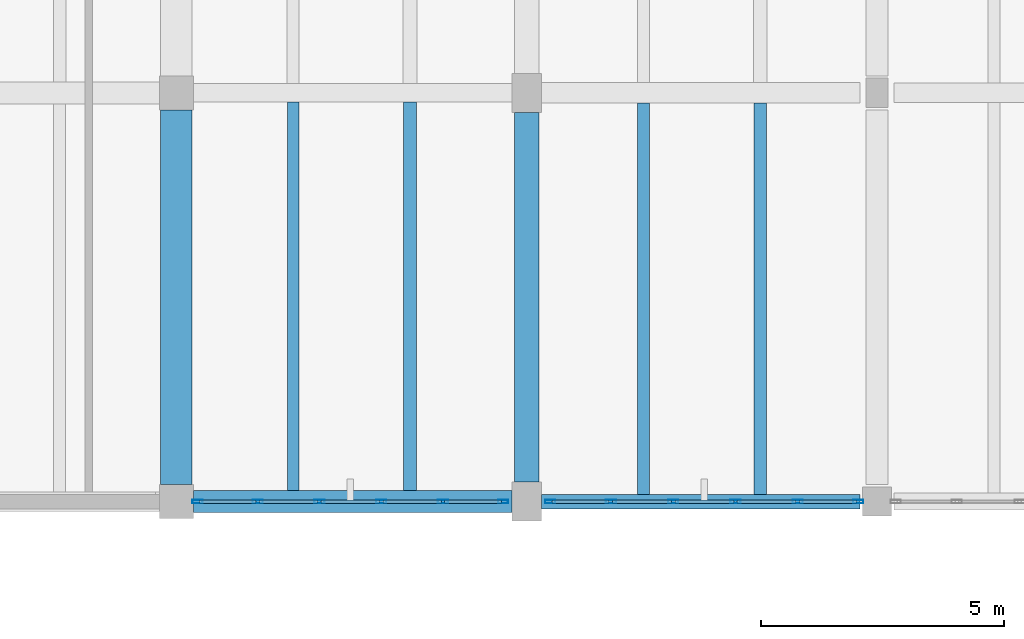
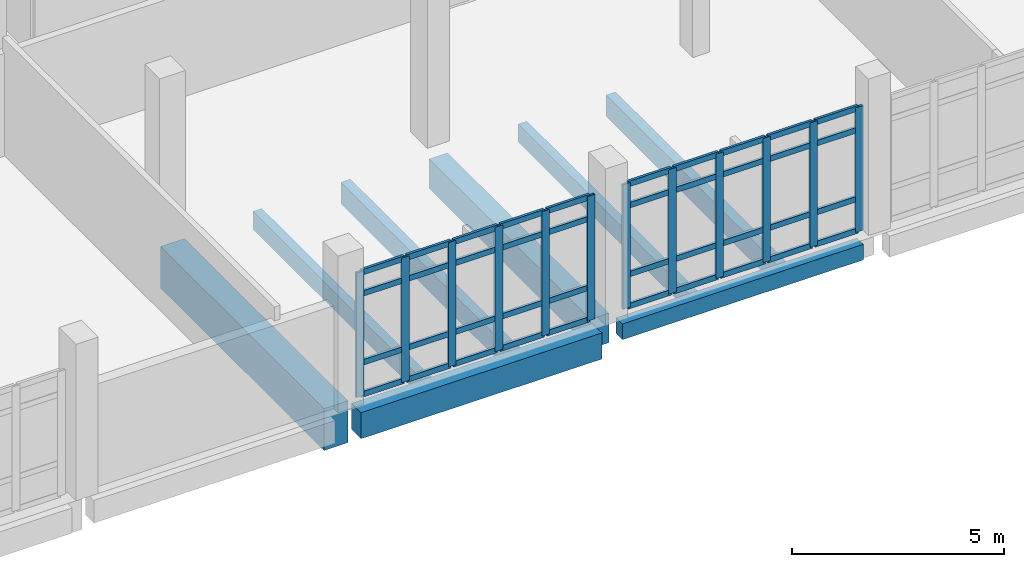
# One storey, part 32 of 57: 52 members, 8 beams, 2 elements without a shape of their own.
"""IFC4 building model written with IfcOpenShell, lengths in metres."""

from ifc_helpers import new_model, si_unit, direction, frame, origin, origin_2d, place, context, subcontext, project, spatial, rectangle, hollow_rectangle, extrude, material, material_profile, profile_set, type_object, element, aggregate, save


model = new_model("IFC4")

# Units and contexts
model_context = context("Model", 3, precision=1e-05, world=origin(), true_north=direction((0.0, 1.0)))
body_context = subcontext(model_context, "Body", "Model", "MODEL_VIEW")
ifc_project = project(units=[si_unit("LENGTHUNIT", "METRE"), si_unit("AREAUNIT", "SQUARE_METRE"), si_unit("VOLUMEUNIT", "CUBIC_METRE"), si_unit("PLANEANGLEUNIT", "RADIAN"), si_unit("MASSUNIT", "GRAM", prefix="KILO")], contexts=[model_context])

# Site, building, storey
site_placement = place(None, origin())
site = spatial("IfcSite", under=ifc_project, at=site_placement, CompositionType="ELEMENT")
building_placement = place(site_placement, origin())
building = spatial("IfcBuilding", under=site, at=building_placement, Name="Kalluvel Institute of Natural Sciences", CompositionType="ELEMENT")
storey_placement = place(building_placement, frame((0.0, 0.0, 23.39990234375)))
storey = spatial("IfcBuildingStorey", under=building, at=storey_placement, Name="L05", CompositionType="ELEMENT", Elevation=23.39990234375)

# Beams
ifc_material_1 = material(Name="Concrete M40", Category="concrete")
ifc_material_profile_1 = material_profile(ifc_material_1, rectangle(XDim=0.449951171875, YDim=0.75, at=origin_2d()), Name="RCB 450x750")
ifc_profile_set_1 = profile_set([ifc_material_profile_1], Name="Concrete M40")
beam_type_1 = type_object("IfcBeamType", Name="BM-RC450x750", PredefinedType="BEAM", material=ifc_profile_set_1)
beam_1_placement = place(storey_placement, frame((79.14990234375, 102.800048828125, -0.69482421875), z_axis=(1.0, 0.0, 0.0), x_axis=(0.0, 1.0, 0.0)))
element("IfcBeam", 1, at=beam_1_placement, inside=storey, type_object=beam_type_1, Name="L05 girder GIR-L05-EW-X788-Y1028", PredefinedType="BEAM", context=body_context, shape_type="SweptSolid", body=[
    extrude(rectangle(XDim=0.449951171875, YDim=0.75, at=origin_2d()), origin(), (0.0, 0.0, 1.0), 6.550048828125),
])
ifc_material_2 = material(Name="Concrete M50", Category="concrete")
ifc_material_profile_2 = material_profile(ifc_material_2, rectangle(XDim=0.5, YDim=0.85009765625, at=origin_2d()), Name="RCB 500x850")
ifc_profile_set_2 = profile_set([ifc_material_profile_2], Name="Concrete M50")
beam_type_2 = type_object("IfcBeamType", Name="BM-RC500x850", PredefinedType="BEAM", material=ifc_profile_set_2)
beam_2_placement = place(storey_placement, frame((86.0, 103.199951171875, -0.744873046875), z_axis=(0.0, 1.0, 0.0), x_axis=(-1.0, 0.0, 0.0)))
element("IfcBeam", 2, at=beam_2_placement, inside=storey, type_object=beam_type_2, Name="L05 girder GIR-L05-NS-X860-Y1028", PredefinedType="BEAM", context=body_context, shape_type="SweptSolid", body=[
    extrude(rectangle(XDim=0.5, YDim=0.85009765625, at=origin_2d()), origin(), (0.0, 0.0, 1.0), 7.60009765625),
])
ifc_material_profile_3 = material_profile(ifc_material_2, rectangle(XDim=0.64990234375, YDim=1.199951171875, at=origin_2d()), Name="RCB 650x1200")
ifc_profile_set_3 = profile_set([ifc_material_profile_3], Name="Concrete M50")
beam_type_3 = type_object("IfcBeamType", Name="BM-RC650x1200", PredefinedType="BEAM", material=ifc_profile_set_3)
beam_3_placement = place(storey_placement, frame((78.800048828125, 103.14990234375, -0.919921875), z_axis=(0.0, 1.0, 0.0), x_axis=(-1.0, 0.0, 0.0)))
element("IfcBeam", 3, at=beam_3_placement, inside=storey, type_object=beam_type_3, Name="L05 girder GIR-L05-NS-X788-Y1028", PredefinedType="BEAM", context=body_context, shape_type="SweptSolid", body=[
    extrude(rectangle(XDim=0.64990234375, YDim=1.199951171875, at=origin_2d()), origin(), (0.0, 0.0, 1.0), 7.7001953125),
])

# Curtain wall, members
ifc_material_3 = material(Name="Aluminium AW-6063 T6", Category="aluminium")
curtain_wall_type = type_object("IfcCurtainWallType", Name="CW-WET-45", PredefinedType="USERDEFINED", material=ifc_material_3)
curtain_wall_1_placement = place(storey_placement, origin())
curtain_wall_1 = element("IfcCurtainWall", 4, at=curtain_wall_1_placement, inside=storey, type_object=curtain_wall_type, Name="L05 Gothic lancet curtain wall CWA-L05-X792-Y1028", ObjectType="UNITISED LANCET FACADE", PredefinedType="USERDEFINED")
ifc_material_profile_4 = material_profile(ifc_material_3, hollow_rectangle(XDim=0.070068359375, YDim=0.2099609375, WallThickness=0.0048828125, at=origin_2d()), Name="CWM 70x210")
ifc_profile_set_4 = profile_set([ifc_material_profile_4], Name="Aluminium AW-6063 T6")
member_type_1 = type_object("IfcMemberType", Name="CWM-70x210", PredefinedType="MULLION", material=ifc_profile_set_4)
member_1_placement = place(storey_placement, frame((79.235107421875, 102.800048828125, 0.0), z_axis=(0.0, 0.0, 1.0), x_axis=(0.0, 1.0, 0.0)))
member_1 = element("IfcMember", 5, at=member_1_placement, type_object=member_type_1, Name="CW-01 mullion 1", PredefinedType="MULLION", context=body_context, shape_type="SweptSolid", body=[
    extrude(hollow_rectangle(XDim=0.070068359375, YDim=0.2099609375, WallThickness=0.0048828125, at=origin_2d()), origin(), (0.0, 0.0, 1.0), 3.580078125),
])
member_2_placement = place(storey_placement, frame((80.469970703125, 102.800048828125, 0.0), z_axis=(0.0, 0.0, 1.0), x_axis=(0.0, 1.0, 0.0)))
member_2 = element("IfcMember", 6, at=member_2_placement, type_object=member_type_1, Name="CW-01 mullion 2", PredefinedType="MULLION", context=body_context, shape_type="SweptSolid", body=[
    extrude(hollow_rectangle(XDim=0.070068359375, YDim=0.2099609375, WallThickness=0.0048828125, at=origin_2d()), origin(), (0.0, 0.0, 1.0), 3.580078125),
])
member_3_placement = place(storey_placement, frame((81.739990234375, 102.800048828125, 0.0), z_axis=(0.0, 0.0, 1.0), x_axis=(0.0, 1.0, 0.0)))
member_3 = element("IfcMember", 7, at=member_3_placement, type_object=member_type_1, Name="CW-01 mullion 3", PredefinedType="MULLION", context=body_context, shape_type="SweptSolid", body=[
    extrude(hollow_rectangle(XDim=0.070068359375, YDim=0.2099609375, WallThickness=0.0048828125, at=origin_2d()), origin(), (0.0, 0.0, 1.0), 3.580078125),
])
member_4_placement = place(storey_placement, frame((83.010009765625, 102.800048828125, 0.0), z_axis=(0.0, 0.0, 1.0), x_axis=(0.0, 1.0, 0.0)))
member_4 = element("IfcMember", 8, at=member_4_placement, type_object=member_type_1, Name="CW-01 mullion 4", PredefinedType="MULLION", context=body_context, shape_type="SweptSolid", body=[
    extrude(hollow_rectangle(XDim=0.070068359375, YDim=0.2099609375, WallThickness=0.0048828125, at=origin_2d()), origin(), (0.0, 0.0, 1.0), 3.580078125),
])
member_5_placement = place(storey_placement, frame((84.280029296875, 102.800048828125, 0.0), z_axis=(0.0, 0.0, 1.0), x_axis=(0.0, 1.0, 0.0)))
member_5 = element("IfcMember", 9, at=member_5_placement, type_object=member_type_1, Name="CW-01 mullion 5", PredefinedType="MULLION", context=body_context, shape_type="SweptSolid", body=[
    extrude(hollow_rectangle(XDim=0.070068359375, YDim=0.2099609375, WallThickness=0.0048828125, at=origin_2d()), origin(), (0.0, 0.0, 1.0), 3.580078125),
])
member_6_placement = place(storey_placement, frame((85.514892578125, 102.800048828125, 0.0), z_axis=(0.0, 0.0, 1.0), x_axis=(0.0, 1.0, 0.0)))
member_6 = element("IfcMember", 10, at=member_6_placement, type_object=member_type_1, Name="CW-01 mullion 6", PredefinedType="MULLION", context=body_context, shape_type="SweptSolid", body=[
    extrude(hollow_rectangle(XDim=0.070068359375, YDim=0.2099609375, WallThickness=0.0048828125, at=origin_2d()), origin(), (0.0, 0.0, 1.0), 3.580078125),
])

curtain_wall_2_placement = place(storey_placement, origin())
curtain_wall_2 = element("IfcCurtainWall", 11, at=curtain_wall_2_placement, inside=storey, type_object=curtain_wall_type, Name="L05 Gothic lancet curtain wall CWA-L05-X864-Y1028", ObjectType="UNITISED LANCET FACADE", PredefinedType="USERDEFINED")
member_7_placement = place(storey_placement, frame((86.485107421875, 102.800048828125, 0.0), z_axis=(0.0, 0.0, 1.0), x_axis=(0.0, 1.0, 0.0)))
member_7 = element("IfcMember", 12, at=member_7_placement, type_object=member_type_1, Name="CW-01 mullion 1", PredefinedType="MULLION", context=body_context, shape_type="SweptSolid", body=[
    extrude(hollow_rectangle(XDim=0.070068359375, YDim=0.2099609375, WallThickness=0.0048828125, at=origin_2d()), origin(), (0.0, 0.0, 1.0), 3.580078125),
])
member_8_placement = place(storey_placement, frame((87.72998046875, 102.800048828125, 0.0), z_axis=(0.0, 0.0, 1.0), x_axis=(0.0, 1.0, 0.0)))
member_8 = element("IfcMember", 13, at=member_8_placement, type_object=member_type_1, Name="CW-01 mullion 2", PredefinedType="MULLION", context=body_context, shape_type="SweptSolid", body=[
    extrude(hollow_rectangle(XDim=0.070068359375, YDim=0.2099609375, WallThickness=0.0048828125, at=origin_2d()), origin(), (0.0, 0.0, 1.0), 3.580078125),
])
member_9_placement = place(storey_placement, frame((89.010009765625, 102.800048828125, 0.0), z_axis=(0.0, 0.0, 1.0), x_axis=(0.0, 1.0, 0.0)))
member_9 = element("IfcMember", 14, at=member_9_placement, type_object=member_type_1, Name="CW-01 mullion 3", PredefinedType="MULLION", context=body_context, shape_type="SweptSolid", body=[
    extrude(hollow_rectangle(XDim=0.070068359375, YDim=0.2099609375, WallThickness=0.0048828125, at=origin_2d()), origin(), (0.0, 0.0, 1.0), 3.580078125),
])
member_10_placement = place(storey_placement, frame((90.2900390625, 102.800048828125, 0.0), z_axis=(0.0, 0.0, 1.0), x_axis=(0.0, 1.0, 0.0)))
member_10 = element("IfcMember", 15, at=member_10_placement, type_object=member_type_1, Name="CW-01 mullion 4", PredefinedType="MULLION", context=body_context, shape_type="SweptSolid", body=[
    extrude(hollow_rectangle(XDim=0.070068359375, YDim=0.2099609375, WallThickness=0.0048828125, at=origin_2d()), origin(), (0.0, 0.0, 1.0), 3.580078125),
])
member_11_placement = place(storey_placement, frame((91.570068359375, 102.800048828125, 0.0), z_axis=(0.0, 0.0, 1.0), x_axis=(0.0, 1.0, 0.0)))
member_11 = element("IfcMember", 16, at=member_11_placement, type_object=member_type_1, Name="CW-01 mullion 5", PredefinedType="MULLION", context=body_context, shape_type="SweptSolid", body=[
    extrude(hollow_rectangle(XDim=0.070068359375, YDim=0.2099609375, WallThickness=0.0048828125, at=origin_2d()), origin(), (0.0, 0.0, 1.0), 3.580078125),
])
member_12_placement = place(storey_placement, frame((92.81494140625, 102.800048828125, 0.0), z_axis=(0.0, 0.0, 1.0), x_axis=(0.0, 1.0, 0.0)))
member_12 = element("IfcMember", 17, at=member_12_placement, type_object=member_type_1, Name="CW-01 mullion 6", PredefinedType="MULLION", context=body_context, shape_type="SweptSolid", body=[
    extrude(hollow_rectangle(XDim=0.070068359375, YDim=0.2099609375, WallThickness=0.0048828125, at=origin_2d()), origin(), (0.0, 0.0, 1.0), 3.580078125),
])

# Member
ifc_material_profile_5 = material_profile(ifc_material_3, hollow_rectangle(XDim=0.070068359375, YDim=0.159912109375, WallThickness=0.0048828125, at=origin_2d()), Name="CWT 70x160")
ifc_profile_set_5 = profile_set([ifc_material_profile_5], Name="Aluminium AW-6063 T6")
member_type_2 = type_object("IfcMemberType", Name="CWT-70x160", PredefinedType="USERDEFINED", material=ifc_profile_set_5)
member_13_placement = place(storey_placement, frame((79.27001953125, 102.800048828125, 0.03515625), z_axis=(1.0, 0.0, 0.0), x_axis=(0.0, 1.0, 0.0)))
member_13 = element("IfcMember", 18, at=member_13_placement, type_object=member_type_2, Name="CW-01 transom 1.1", ObjectType="TRANSOM", PredefinedType="USERDEFINED", context=body_context, shape_type="SweptSolid", body=[
    extrude(hollow_rectangle(XDim=0.070068359375, YDim=0.159912109375, WallThickness=0.0048828125, at=origin_2d()), origin(), (0.0, 0.0, 1.0), 1.1650390625),
])

member_14_placement = place(storey_placement, frame((79.27001953125, 102.800048828125, 0.9501953125), z_axis=(1.0, 0.0, 0.0), x_axis=(0.0, 1.0, 0.0)))
member_14 = element("IfcMember", 19, at=member_14_placement, type_object=member_type_2, Name="CW-01 transom 1.2", ObjectType="TRANSOM", PredefinedType="USERDEFINED", context=body_context, shape_type="SweptSolid", body=[
    extrude(hollow_rectangle(XDim=0.070068359375, YDim=0.159912109375, WallThickness=0.0048828125, at=origin_2d()), origin(), (0.0, 0.0, 1.0), 1.1650390625),
])

member_15_placement = place(storey_placement, frame((79.27001953125, 102.800048828125, 2.93017578125), z_axis=(1.0, 0.0, 0.0), x_axis=(0.0, 1.0, 0.0)))
member_15 = element("IfcMember", 20, at=member_15_placement, type_object=member_type_2, Name="CW-01 transom 1.3", ObjectType="TRANSOM", PredefinedType="USERDEFINED", context=body_context, shape_type="SweptSolid", body=[
    extrude(hollow_rectangle(XDim=0.070068359375, YDim=0.159912109375, WallThickness=0.0048828125, at=origin_2d()), origin(), (0.0, 0.0, 1.0), 1.1650390625),
])

member_16_placement = place(storey_placement, frame((79.27001953125, 102.800048828125, 3.545166015625), z_axis=(1.0, 0.0, 0.0), x_axis=(0.0, 1.0, 0.0)))
member_16 = element("IfcMember", 21, at=member_16_placement, type_object=member_type_2, Name="CW-01 transom 1.4", ObjectType="TRANSOM", PredefinedType="USERDEFINED", context=body_context, shape_type="SweptSolid", body=[
    extrude(hollow_rectangle(XDim=0.070068359375, YDim=0.159912109375, WallThickness=0.0048828125, at=origin_2d()), origin(), (0.0, 0.0, 1.0), 1.1650390625),
])

member_17_placement = place(storey_placement, frame((80.5048828125, 102.800048828125, 0.03515625), z_axis=(1.0, 0.0, 0.0), x_axis=(0.0, 1.0, 0.0)))
member_17 = element("IfcMember", 22, at=member_17_placement, type_object=member_type_2, Name="CW-01 transom 2.1", ObjectType="TRANSOM", PredefinedType="USERDEFINED", context=body_context, shape_type="SweptSolid", body=[
    extrude(hollow_rectangle(XDim=0.070068359375, YDim=0.159912109375, WallThickness=0.0048828125, at=origin_2d()), origin(), (0.0, 0.0, 1.0), 1.2001953125),
])

member_18_placement = place(storey_placement, frame((80.5048828125, 102.800048828125, 0.9501953125), z_axis=(1.0, 0.0, 0.0), x_axis=(0.0, 1.0, 0.0)))
member_18 = element("IfcMember", 23, at=member_18_placement, type_object=member_type_2, Name="CW-01 transom 2.2", ObjectType="TRANSOM", PredefinedType="USERDEFINED", context=body_context, shape_type="SweptSolid", body=[
    extrude(hollow_rectangle(XDim=0.070068359375, YDim=0.159912109375, WallThickness=0.0048828125, at=origin_2d()), origin(), (0.0, 0.0, 1.0), 1.2001953125),
])

member_19_placement = place(storey_placement, frame((80.5048828125, 102.800048828125, 2.93017578125), z_axis=(1.0, 0.0, 0.0), x_axis=(0.0, 1.0, 0.0)))
member_19 = element("IfcMember", 24, at=member_19_placement, type_object=member_type_2, Name="CW-01 transom 2.3", ObjectType="TRANSOM", PredefinedType="USERDEFINED", context=body_context, shape_type="SweptSolid", body=[
    extrude(hollow_rectangle(XDim=0.070068359375, YDim=0.159912109375, WallThickness=0.0048828125, at=origin_2d()), origin(), (0.0, 0.0, 1.0), 1.2001953125),
])

member_20_placement = place(storey_placement, frame((80.5048828125, 102.800048828125, 3.545166015625), z_axis=(1.0, 0.0, 0.0), x_axis=(0.0, 1.0, 0.0)))
member_20 = element("IfcMember", 25, at=member_20_placement, type_object=member_type_2, Name="CW-01 transom 2.4", ObjectType="TRANSOM", PredefinedType="USERDEFINED", context=body_context, shape_type="SweptSolid", body=[
    extrude(hollow_rectangle(XDim=0.070068359375, YDim=0.159912109375, WallThickness=0.0048828125, at=origin_2d()), origin(), (0.0, 0.0, 1.0), 1.2001953125),
])

member_21_placement = place(storey_placement, frame((81.77490234375, 102.800048828125, 0.03515625), z_axis=(1.0, 0.0, 0.0), x_axis=(0.0, 1.0, 0.0)))
member_21 = element("IfcMember", 26, at=member_21_placement, type_object=member_type_2, Name="CW-01 transom 3.1", ObjectType="TRANSOM", PredefinedType="USERDEFINED", context=body_context, shape_type="SweptSolid", body=[
    extrude(hollow_rectangle(XDim=0.070068359375, YDim=0.159912109375, WallThickness=0.0048828125, at=origin_2d()), origin(), (0.0, 0.0, 1.0), 1.2001953125),
])

member_22_placement = place(storey_placement, frame((81.77490234375, 102.800048828125, 0.9501953125), z_axis=(1.0, 0.0, 0.0), x_axis=(0.0, 1.0, 0.0)))
member_22 = element("IfcMember", 27, at=member_22_placement, type_object=member_type_2, Name="CW-01 transom 3.2", ObjectType="TRANSOM", PredefinedType="USERDEFINED", context=body_context, shape_type="SweptSolid", body=[
    extrude(hollow_rectangle(XDim=0.070068359375, YDim=0.159912109375, WallThickness=0.0048828125, at=origin_2d()), origin(), (0.0, 0.0, 1.0), 1.2001953125),
])

member_23_placement = place(storey_placement, frame((81.77490234375, 102.800048828125, 2.93017578125), z_axis=(1.0, 0.0, 0.0), x_axis=(0.0, 1.0, 0.0)))
member_23 = element("IfcMember", 28, at=member_23_placement, type_object=member_type_2, Name="CW-01 transom 3.3", ObjectType="TRANSOM", PredefinedType="USERDEFINED", context=body_context, shape_type="SweptSolid", body=[
    extrude(hollow_rectangle(XDim=0.070068359375, YDim=0.159912109375, WallThickness=0.0048828125, at=origin_2d()), origin(), (0.0, 0.0, 1.0), 1.2001953125),
])

member_24_placement = place(storey_placement, frame((81.77490234375, 102.800048828125, 3.545166015625), z_axis=(1.0, 0.0, 0.0), x_axis=(0.0, 1.0, 0.0)))
member_24 = element("IfcMember", 29, at=member_24_placement, type_object=member_type_2, Name="CW-01 transom 3.4", ObjectType="TRANSOM", PredefinedType="USERDEFINED", context=body_context, shape_type="SweptSolid", body=[
    extrude(hollow_rectangle(XDim=0.070068359375, YDim=0.159912109375, WallThickness=0.0048828125, at=origin_2d()), origin(), (0.0, 0.0, 1.0), 1.2001953125),
])

member_25_placement = place(storey_placement, frame((83.044921875, 102.800048828125, 0.03515625), z_axis=(1.0, 0.0, 0.0), x_axis=(0.0, 1.0, 0.0)))
member_25 = element("IfcMember", 30, at=member_25_placement, type_object=member_type_2, Name="CW-01 transom 4.1", ObjectType="TRANSOM", PredefinedType="USERDEFINED", context=body_context, shape_type="SweptSolid", body=[
    extrude(hollow_rectangle(XDim=0.070068359375, YDim=0.159912109375, WallThickness=0.0048828125, at=origin_2d()), origin(), (0.0, 0.0, 1.0), 1.2001953125),
])

member_26_placement = place(storey_placement, frame((83.044921875, 102.800048828125, 0.9501953125), z_axis=(1.0, 0.0, 0.0), x_axis=(0.0, 1.0, 0.0)))
member_26 = element("IfcMember", 31, at=member_26_placement, type_object=member_type_2, Name="CW-01 transom 4.2", ObjectType="TRANSOM", PredefinedType="USERDEFINED", context=body_context, shape_type="SweptSolid", body=[
    extrude(hollow_rectangle(XDim=0.070068359375, YDim=0.159912109375, WallThickness=0.0048828125, at=origin_2d()), origin(), (0.0, 0.0, 1.0), 1.2001953125),
])

member_27_placement = place(storey_placement, frame((83.044921875, 102.800048828125, 2.93017578125), z_axis=(1.0, 0.0, 0.0), x_axis=(0.0, 1.0, 0.0)))
member_27 = element("IfcMember", 32, at=member_27_placement, type_object=member_type_2, Name="CW-01 transom 4.3", ObjectType="TRANSOM", PredefinedType="USERDEFINED", context=body_context, shape_type="SweptSolid", body=[
    extrude(hollow_rectangle(XDim=0.070068359375, YDim=0.159912109375, WallThickness=0.0048828125, at=origin_2d()), origin(), (0.0, 0.0, 1.0), 1.2001953125),
])

member_28_placement = place(storey_placement, frame((83.044921875, 102.800048828125, 3.545166015625), z_axis=(1.0, 0.0, 0.0), x_axis=(0.0, 1.0, 0.0)))
member_28 = element("IfcMember", 33, at=member_28_placement, type_object=member_type_2, Name="CW-01 transom 4.4", ObjectType="TRANSOM", PredefinedType="USERDEFINED", context=body_context, shape_type="SweptSolid", body=[
    extrude(hollow_rectangle(XDim=0.070068359375, YDim=0.159912109375, WallThickness=0.0048828125, at=origin_2d()), origin(), (0.0, 0.0, 1.0), 1.2001953125),
])

member_29_placement = place(storey_placement, frame((84.31494140625, 102.800048828125, 0.03515625), z_axis=(1.0, 0.0, 0.0), x_axis=(0.0, 1.0, 0.0)))
member_29 = element("IfcMember", 34, at=member_29_placement, type_object=member_type_2, Name="CW-01 transom 5.1", ObjectType="TRANSOM", PredefinedType="USERDEFINED", context=body_context, shape_type="SweptSolid", body=[
    extrude(hollow_rectangle(XDim=0.070068359375, YDim=0.159912109375, WallThickness=0.0048828125, at=origin_2d()), origin(), (0.0, 0.0, 1.0), 1.1650390625),
])

member_30_placement = place(storey_placement, frame((84.31494140625, 102.800048828125, 0.9501953125), z_axis=(1.0, 0.0, 0.0), x_axis=(0.0, 1.0, 0.0)))
member_30 = element("IfcMember", 35, at=member_30_placement, type_object=member_type_2, Name="CW-01 transom 5.2", ObjectType="TRANSOM", PredefinedType="USERDEFINED", context=body_context, shape_type="SweptSolid", body=[
    extrude(hollow_rectangle(XDim=0.070068359375, YDim=0.159912109375, WallThickness=0.0048828125, at=origin_2d()), origin(), (0.0, 0.0, 1.0), 1.1650390625),
])

member_31_placement = place(storey_placement, frame((84.31494140625, 102.800048828125, 2.93017578125), z_axis=(1.0, 0.0, 0.0), x_axis=(0.0, 1.0, 0.0)))
member_31 = element("IfcMember", 36, at=member_31_placement, type_object=member_type_2, Name="CW-01 transom 5.3", ObjectType="TRANSOM", PredefinedType="USERDEFINED", context=body_context, shape_type="SweptSolid", body=[
    extrude(hollow_rectangle(XDim=0.070068359375, YDim=0.159912109375, WallThickness=0.0048828125, at=origin_2d()), origin(), (0.0, 0.0, 1.0), 1.1650390625),
])

member_32_placement = place(storey_placement, frame((84.31494140625, 102.800048828125, 3.545166015625), z_axis=(1.0, 0.0, 0.0), x_axis=(0.0, 1.0, 0.0)))
member_32 = element("IfcMember", 37, at=member_32_placement, type_object=member_type_2, Name="CW-01 transom 5.4", ObjectType="TRANSOM", PredefinedType="USERDEFINED", context=body_context, shape_type="SweptSolid", body=[
    extrude(hollow_rectangle(XDim=0.070068359375, YDim=0.159912109375, WallThickness=0.0048828125, at=origin_2d()), origin(), (0.0, 0.0, 1.0), 1.1650390625),
])

aggregate(curtain_wall_1, [member_1, member_2, member_3, member_4, member_5, member_6, member_13, member_14, member_15, member_16, member_17, member_18, member_19, member_20, member_21, member_22, member_23, member_24, member_25, member_26, member_27, member_28, member_29, member_30, member_31, member_32])

member_33_placement = place(storey_placement, frame((86.52001953125, 102.800048828125, 0.03515625), z_axis=(1.0, 0.0, 0.0), x_axis=(0.0, 1.0, 0.0)))
member_33 = element("IfcMember", 38, at=member_33_placement, type_object=member_type_2, Name="CW-01 transom 1.1", ObjectType="TRANSOM", PredefinedType="USERDEFINED", context=body_context, shape_type="SweptSolid", body=[
    extrude(hollow_rectangle(XDim=0.070068359375, YDim=0.159912109375, WallThickness=0.0048828125, at=origin_2d()), origin(), (0.0, 0.0, 1.0), 1.175048828125),
])

member_34_placement = place(storey_placement, frame((86.52001953125, 102.800048828125, 0.9501953125), z_axis=(1.0, 0.0, 0.0), x_axis=(0.0, 1.0, 0.0)))
member_34 = element("IfcMember", 39, at=member_34_placement, type_object=member_type_2, Name="CW-01 transom 1.2", ObjectType="TRANSOM", PredefinedType="USERDEFINED", context=body_context, shape_type="SweptSolid", body=[
    extrude(hollow_rectangle(XDim=0.070068359375, YDim=0.159912109375, WallThickness=0.0048828125, at=origin_2d()), origin(), (0.0, 0.0, 1.0), 1.175048828125),
])

member_35_placement = place(storey_placement, frame((86.52001953125, 102.800048828125, 2.93017578125), z_axis=(1.0, 0.0, 0.0), x_axis=(0.0, 1.0, 0.0)))
member_35 = element("IfcMember", 40, at=member_35_placement, type_object=member_type_2, Name="CW-01 transom 1.3", ObjectType="TRANSOM", PredefinedType="USERDEFINED", context=body_context, shape_type="SweptSolid", body=[
    extrude(hollow_rectangle(XDim=0.070068359375, YDim=0.159912109375, WallThickness=0.0048828125, at=origin_2d()), origin(), (0.0, 0.0, 1.0), 1.175048828125),
])

member_36_placement = place(storey_placement, frame((86.52001953125, 102.800048828125, 3.545166015625), z_axis=(1.0, 0.0, 0.0), x_axis=(0.0, 1.0, 0.0)))
member_36 = element("IfcMember", 41, at=member_36_placement, type_object=member_type_2, Name="CW-01 transom 1.4", ObjectType="TRANSOM", PredefinedType="USERDEFINED", context=body_context, shape_type="SweptSolid", body=[
    extrude(hollow_rectangle(XDim=0.070068359375, YDim=0.159912109375, WallThickness=0.0048828125, at=origin_2d()), origin(), (0.0, 0.0, 1.0), 1.175048828125),
])

member_37_placement = place(storey_placement, frame((87.764892578125, 102.800048828125, 0.03515625), z_axis=(1.0, 0.0, 0.0), x_axis=(0.0, 1.0, 0.0)))
member_37 = element("IfcMember", 42, at=member_37_placement, type_object=member_type_2, Name="CW-01 transom 2.1", ObjectType="TRANSOM", PredefinedType="USERDEFINED", context=body_context, shape_type="SweptSolid", body=[
    extrude(hollow_rectangle(XDim=0.070068359375, YDim=0.159912109375, WallThickness=0.0048828125, at=origin_2d()), origin(), (0.0, 0.0, 1.0), 1.210205078125),
])

member_38_placement = place(storey_placement, frame((87.764892578125, 102.800048828125, 0.9501953125), z_axis=(1.0, 0.0, 0.0), x_axis=(0.0, 1.0, 0.0)))
member_38 = element("IfcMember", 43, at=member_38_placement, type_object=member_type_2, Name="CW-01 transom 2.2", ObjectType="TRANSOM", PredefinedType="USERDEFINED", context=body_context, shape_type="SweptSolid", body=[
    extrude(hollow_rectangle(XDim=0.070068359375, YDim=0.159912109375, WallThickness=0.0048828125, at=origin_2d()), origin(), (0.0, 0.0, 1.0), 1.210205078125),
])

member_39_placement = place(storey_placement, frame((87.764892578125, 102.800048828125, 2.93017578125), z_axis=(1.0, 0.0, 0.0), x_axis=(0.0, 1.0, 0.0)))
member_39 = element("IfcMember", 44, at=member_39_placement, type_object=member_type_2, Name="CW-01 transom 2.3", ObjectType="TRANSOM", PredefinedType="USERDEFINED", context=body_context, shape_type="SweptSolid", body=[
    extrude(hollow_rectangle(XDim=0.070068359375, YDim=0.159912109375, WallThickness=0.0048828125, at=origin_2d()), origin(), (0.0, 0.0, 1.0), 1.210205078125),
])

member_40_placement = place(storey_placement, frame((87.764892578125, 102.800048828125, 3.545166015625), z_axis=(1.0, 0.0, 0.0), x_axis=(0.0, 1.0, 0.0)))
member_40 = element("IfcMember", 45, at=member_40_placement, type_object=member_type_2, Name="CW-01 transom 2.4", ObjectType="TRANSOM", PredefinedType="USERDEFINED", context=body_context, shape_type="SweptSolid", body=[
    extrude(hollow_rectangle(XDim=0.070068359375, YDim=0.159912109375, WallThickness=0.0048828125, at=origin_2d()), origin(), (0.0, 0.0, 1.0), 1.210205078125),
])

member_41_placement = place(storey_placement, frame((89.044921875, 102.800048828125, 0.03515625), z_axis=(1.0, 0.0, 0.0), x_axis=(0.0, 1.0, 0.0)))
member_41 = element("IfcMember", 46, at=member_41_placement, type_object=member_type_2, Name="CW-01 transom 3.1", ObjectType="TRANSOM", PredefinedType="USERDEFINED", context=body_context, shape_type="SweptSolid", body=[
    extrude(hollow_rectangle(XDim=0.070068359375, YDim=0.159912109375, WallThickness=0.0048828125, at=origin_2d()), origin(), (0.0, 0.0, 1.0), 1.2099609375),
])

member_42_placement = place(storey_placement, frame((89.044921875, 102.800048828125, 0.9501953125), z_axis=(1.0, 0.0, 0.0), x_axis=(0.0, 1.0, 0.0)))
member_42 = element("IfcMember", 47, at=member_42_placement, type_object=member_type_2, Name="CW-01 transom 3.2", ObjectType="TRANSOM", PredefinedType="USERDEFINED", context=body_context, shape_type="SweptSolid", body=[
    extrude(hollow_rectangle(XDim=0.070068359375, YDim=0.159912109375, WallThickness=0.0048828125, at=origin_2d()), origin(), (0.0, 0.0, 1.0), 1.2099609375),
])

member_43_placement = place(storey_placement, frame((89.044921875, 102.800048828125, 2.93017578125), z_axis=(1.0, 0.0, 0.0), x_axis=(0.0, 1.0, 0.0)))
member_43 = element("IfcMember", 48, at=member_43_placement, type_object=member_type_2, Name="CW-01 transom 3.3", ObjectType="TRANSOM", PredefinedType="USERDEFINED", context=body_context, shape_type="SweptSolid", body=[
    extrude(hollow_rectangle(XDim=0.070068359375, YDim=0.159912109375, WallThickness=0.0048828125, at=origin_2d()), origin(), (0.0, 0.0, 1.0), 1.2099609375),
])

member_44_placement = place(storey_placement, frame((89.044921875, 102.800048828125, 3.545166015625), z_axis=(1.0, 0.0, 0.0), x_axis=(0.0, 1.0, 0.0)))
member_44 = element("IfcMember", 49, at=member_44_placement, type_object=member_type_2, Name="CW-01 transom 3.4", ObjectType="TRANSOM", PredefinedType="USERDEFINED", context=body_context, shape_type="SweptSolid", body=[
    extrude(hollow_rectangle(XDim=0.070068359375, YDim=0.159912109375, WallThickness=0.0048828125, at=origin_2d()), origin(), (0.0, 0.0, 1.0), 1.2099609375),
])

member_45_placement = place(storey_placement, frame((90.324951171875, 102.800048828125, 0.03515625), z_axis=(1.0, 0.0, 0.0), x_axis=(0.0, 1.0, 0.0)))
member_45 = element("IfcMember", 50, at=member_45_placement, type_object=member_type_2, Name="CW-01 transom 4.1", ObjectType="TRANSOM", PredefinedType="USERDEFINED", context=body_context, shape_type="SweptSolid", body=[
    extrude(hollow_rectangle(XDim=0.070068359375, YDim=0.159912109375, WallThickness=0.0048828125, at=origin_2d()), origin(), (0.0, 0.0, 1.0), 1.2099609375),
])

member_46_placement = place(storey_placement, frame((90.324951171875, 102.800048828125, 0.9501953125), z_axis=(1.0, 0.0, 0.0), x_axis=(0.0, 1.0, 0.0)))
member_46 = element("IfcMember", 51, at=member_46_placement, type_object=member_type_2, Name="CW-01 transom 4.2", ObjectType="TRANSOM", PredefinedType="USERDEFINED", context=body_context, shape_type="SweptSolid", body=[
    extrude(hollow_rectangle(XDim=0.070068359375, YDim=0.159912109375, WallThickness=0.0048828125, at=origin_2d()), origin(), (0.0, 0.0, 1.0), 1.2099609375),
])

member_47_placement = place(storey_placement, frame((90.324951171875, 102.800048828125, 2.93017578125), z_axis=(1.0, 0.0, 0.0), x_axis=(0.0, 1.0, 0.0)))
member_47 = element("IfcMember", 52, at=member_47_placement, type_object=member_type_2, Name="CW-01 transom 4.3", ObjectType="TRANSOM", PredefinedType="USERDEFINED", context=body_context, shape_type="SweptSolid", body=[
    extrude(hollow_rectangle(XDim=0.070068359375, YDim=0.159912109375, WallThickness=0.0048828125, at=origin_2d()), origin(), (0.0, 0.0, 1.0), 1.2099609375),
])

member_48_placement = place(storey_placement, frame((90.324951171875, 102.800048828125, 3.545166015625), z_axis=(1.0, 0.0, 0.0), x_axis=(0.0, 1.0, 0.0)))
member_48 = element("IfcMember", 53, at=member_48_placement, type_object=member_type_2, Name="CW-01 transom 4.4", ObjectType="TRANSOM", PredefinedType="USERDEFINED", context=body_context, shape_type="SweptSolid", body=[
    extrude(hollow_rectangle(XDim=0.070068359375, YDim=0.159912109375, WallThickness=0.0048828125, at=origin_2d()), origin(), (0.0, 0.0, 1.0), 1.2099609375),
])

member_49_placement = place(storey_placement, frame((91.60498046875, 102.800048828125, 0.03515625), z_axis=(1.0, 0.0, 0.0), x_axis=(0.0, 1.0, 0.0)))
member_49 = element("IfcMember", 54, at=member_49_placement, type_object=member_type_2, Name="CW-01 transom 5.1", ObjectType="TRANSOM", PredefinedType="USERDEFINED", context=body_context, shape_type="SweptSolid", body=[
    extrude(hollow_rectangle(XDim=0.070068359375, YDim=0.159912109375, WallThickness=0.0048828125, at=origin_2d()), origin(), (0.0, 0.0, 1.0), 1.175048828125),
])

member_50_placement = place(storey_placement, frame((91.60498046875, 102.800048828125, 0.9501953125), z_axis=(1.0, 0.0, 0.0), x_axis=(0.0, 1.0, 0.0)))
member_50 = element("IfcMember", 55, at=member_50_placement, type_object=member_type_2, Name="CW-01 transom 5.2", ObjectType="TRANSOM", PredefinedType="USERDEFINED", context=body_context, shape_type="SweptSolid", body=[
    extrude(hollow_rectangle(XDim=0.070068359375, YDim=0.159912109375, WallThickness=0.0048828125, at=origin_2d()), origin(), (0.0, 0.0, 1.0), 1.175048828125),
])

member_51_placement = place(storey_placement, frame((91.60498046875, 102.800048828125, 2.93017578125), z_axis=(1.0, 0.0, 0.0), x_axis=(0.0, 1.0, 0.0)))
member_51 = element("IfcMember", 56, at=member_51_placement, type_object=member_type_2, Name="CW-01 transom 5.3", ObjectType="TRANSOM", PredefinedType="USERDEFINED", context=body_context, shape_type="SweptSolid", body=[
    extrude(hollow_rectangle(XDim=0.070068359375, YDim=0.159912109375, WallThickness=0.0048828125, at=origin_2d()), origin(), (0.0, 0.0, 1.0), 1.175048828125),
])

member_52_placement = place(storey_placement, frame((91.60498046875, 102.800048828125, 3.545166015625), z_axis=(1.0, 0.0, 0.0), x_axis=(0.0, 1.0, 0.0)))
member_52 = element("IfcMember", 57, at=member_52_placement, type_object=member_type_2, Name="CW-01 transom 5.4", ObjectType="TRANSOM", PredefinedType="USERDEFINED", context=body_context, shape_type="SweptSolid", body=[
    extrude(hollow_rectangle(XDim=0.070068359375, YDim=0.159912109375, WallThickness=0.0048828125, at=origin_2d()), origin(), (0.0, 0.0, 1.0), 1.175048828125),
])

aggregate(curtain_wall_2, [member_7, member_8, member_9, member_10, member_11, member_12, member_33, member_34, member_35, member_36, member_37, member_38, member_39, member_40, member_41, member_42, member_43, member_44, member_45, member_46, member_47, member_48, member_49, member_50, member_51, member_52])

# Beams
ifc_material_profile_6 = material_profile(ifc_material_1, rectangle(XDim=0.300048828125, YDim=0.449951171875, at=origin_2d()), Name="RCB 300x450")
ifc_profile_set_6 = profile_set([ifc_material_profile_6], Name="Concrete M40")
beam_type_4 = type_object("IfcBeamType", Name="SP-RC300x450", PredefinedType="SPANDREL", material=ifc_profile_set_6)
beam_4_placement = place(storey_placement, frame((86.300048828125, 102.800048828125, -0.544921875), z_axis=(1.0, 0.0, 0.0), x_axis=(0.0, 1.0, 0.0)))
element("IfcBeam", 58, at=beam_4_placement, inside=storey, type_object=beam_type_4, Name="L05 girder GIR-L05-EW-X860-Y1028", PredefinedType="SPANDREL", context=body_context, shape_type="SweptSolid", body=[
    extrude(rectangle(XDim=0.300048828125, YDim=0.449951171875, at=origin_2d()), origin(), (0.0, 0.0, 1.0), 6.550048828125),
])
ifc_material_profile_7 = material_profile(ifc_material_1, rectangle(XDim=0.239990234375, YDim=0.52001953125, at=origin_2d()), Name="WAF 240x520")
ifc_profile_set_7 = profile_set([ifc_material_profile_7], Name="Concrete M40")
beam_type_5 = type_object("IfcBeamType", Name="WJ-240x520", PredefinedType="JOIST", material=ifc_profile_set_7)
beam_5_placement = place(storey_placement, frame((81.199951171875, 103.02490234375, -0.579833984375), z_axis=(0.0, 1.0, 0.0), x_axis=(-1.0, 0.0, 0.0)))
element("IfcBeam", 59, at=beam_5_placement, inside=storey, type_object=beam_type_5, Name="L05 waffle joist RIB-L05-0413", PredefinedType="JOIST", context=body_context, shape_type="SweptSolid", body=[
    extrude(rectangle(XDim=0.239990234375, YDim=0.52001953125, at=origin_2d()), origin(), (0.0, 0.0, 1.0), 7.985107421875),
])
beam_6_placement = place(storey_placement, frame((88.39990234375, 102.949951171875, -0.579833984375), z_axis=(0.0, 1.0, 0.0), x_axis=(-1.0, 0.0, 0.0)))
element("IfcBeam", 60, at=beam_6_placement, inside=storey, type_object=beam_type_5, Name="L05 waffle joist RIB-L05-0419", PredefinedType="JOIST", context=body_context, shape_type="SweptSolid", body=[
    extrude(rectangle(XDim=0.239990234375, YDim=0.52001953125, at=origin_2d()), origin(), (0.0, 0.0, 1.0), 8.0400390625),
])
ifc_material_profile_8 = material_profile(ifc_material_2, rectangle(XDim=0.260009765625, YDim=0.6201171875, at=origin_2d()), Name="WAF 260x620")
ifc_profile_set_8 = profile_set([ifc_material_profile_8], Name="Concrete M50")
beam_type_6 = type_object("IfcBeamType", Name="WJ-260x620", PredefinedType="JOIST", material=ifc_profile_set_8)
beam_7_placement = place(storey_placement, frame((83.60009765625, 103.02490234375, -0.6298828125), z_axis=(0.0, 1.0, 0.0), x_axis=(-1.0, 0.0, 0.0)))
element("IfcBeam", 61, at=beam_7_placement, inside=storey, type_object=beam_type_6, Name="L05 waffle joist RIB-L05-0414", PredefinedType="JOIST", context=body_context, shape_type="SweptSolid", body=[
    extrude(rectangle(XDim=0.260009765625, YDim=0.6201171875, at=origin_2d()), origin(), (0.0, 0.0, 1.0), 7.985107421875),
])
beam_8_placement = place(storey_placement, frame((90.800048828125, 102.949951171875, -0.6298828125), z_axis=(0.0, 1.0, 0.0), x_axis=(-1.0, 0.0, 0.0)))
element("IfcBeam", 62, at=beam_8_placement, inside=storey, type_object=beam_type_6, Name="L05 waffle joist RIB-L05-0420", PredefinedType="JOIST", context=body_context, shape_type="SweptSolid", body=[
    extrude(rectangle(XDim=0.260009765625, YDim=0.6201171875, at=origin_2d()), origin(), (0.0, 0.0, 1.0), 8.0400390625),
])

save(model, "model.ifc")
